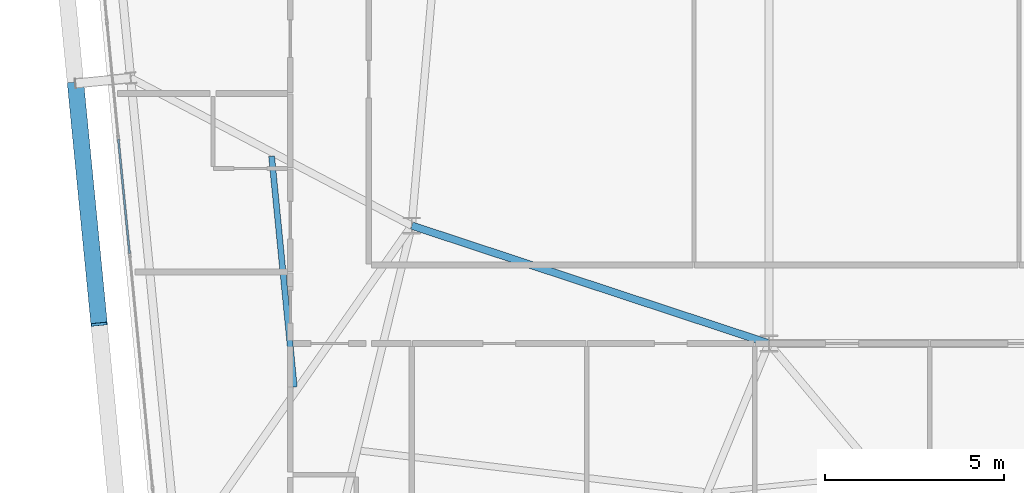
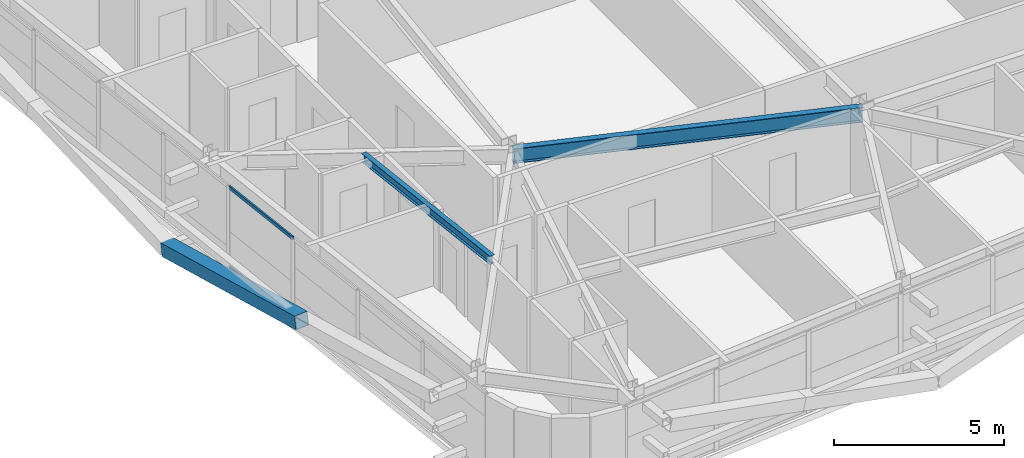
# One storey, part 9 of 53: 3 members, 2 beams, 1 element without a shape of its own.
"""IFC4 building model written with IfcOpenShell, lengths in metres."""

import ifcopenshell
import ifcopenshell.guid

model = None  # the IFC model being written
_history = None  # IfcOwnerHistory: only IFC2X3 demands one
_inside = {}  # id of a spatial element -> (the spatial element, [elements in it])
_under = {}  # id of a project, library or spatial element -> (it, [spatial elements below it])
_declared = {}  # id of a project -> (the project, [libraries it declares])
_typed = {}  # id of a type object -> (the type object, [elements of that type])
_made_of = {}  # id of a material, layer set ... -> (it, [elements and type objects made of it])


def new_model(schema):
    """Start an empty IFC model of exactly this schema.

    Asked for "IFC4X3", IfcOpenShell would pick the latest addendum, in which some entities
    have other attributes; the version numbers below select the first issue.
    IFC2X3 requires an IfcOwnerHistory on every rooted entity: one is made here for all.
    """
    global model, _history
    if schema == "IFC4X3":
        model = ifcopenshell.file(schema_version=(4, 3, 0, 0))
    else:
        model = ifcopenshell.file(schema=schema)
    _inside.clear()
    _under.clear()
    _declared.clear()
    _typed.clear()
    _made_of.clear()
    _history = None
    if model.schema == "IFC2X3":
        org = make("IfcOrganization", Name="unknown")
        user = make(
            "IfcPersonAndOrganization",
            ThePerson=make("IfcPerson", FamilyName="unknown"),
            TheOrganization=org,
        )
        app = make(
            "IfcApplication",
            ApplicationDeveloper=org,
            Version="unknown",
            ApplicationFullName="unknown",
            ApplicationIdentifier="unknown",
        )
        _history = make(
            "IfcOwnerHistory",
            OwningUser=user,
            OwningApplication=app,
            ChangeAction="ADDED",
            CreationDate=0,
        )
    return model


def make(cls, **values):
    """One entity of the class cls with the attributes given. An attribute that is None is left unset."""
    return model.create_entity(
        cls, **{name: value for name, value in values.items() if value is not None}
    )


def rooted(cls, **values):
    """An entity with a GlobalId (a new one), such as an element, a storey or a relation."""
    return make(cls, GlobalId=ifcopenshell.guid.new(), OwnerHistory=_history, **values)


def si_unit(unit_type, name, prefix=None):
    """IfcSIUnit, for example si_unit("LENGTHUNIT", "METRE", prefix="MILLI")."""
    return make("IfcSIUnit", UnitType=unit_type, Prefix=prefix, Name=name)


def assignment(units):
    """IfcUnitAssignment: the units of a project."""
    return None if units is None else make("IfcUnitAssignment", Units=units)


def point(xyz):
    """IfcCartesianPoint."""
    return None if xyz is None else make("IfcCartesianPoint", Coordinates=xyz)


def direction(xyz):
    """IfcDirection."""
    return None if xyz is None else make("IfcDirection", DirectionRatios=xyz)


def frame(location, z_axis=None, x_axis=None):
    """IfcAxis2Placement3D, a coordinate frame: its origin and axes. An axis left out is left unset."""
    return make(
        "IfcAxis2Placement3D",
        Location=point(location),
        Axis=direction(z_axis),
        RefDirection=direction(x_axis),
    )


def frame_2d(location, x_axis=None):
    """IfcAxis2Placement2D, a coordinate frame in the plane: its origin and x axis."""
    return make(
        "IfcAxis2Placement2D", Location=point(location), RefDirection=direction(x_axis)
    )


def origin():
    """The frame at (0, 0, 0) with its axes left unset."""
    return frame((0.0, 0.0, 0.0))


def origin_2d():
    """The frame at (0, 0) in the plane with its x axis left unset."""
    return frame_2d((0.0, 0.0))


def place(relative_to, where):
    """IfcLocalPlacement: puts the frame where relative to a parent placement (None: the world)."""
    return make(
        "IfcLocalPlacement", PlacementRelTo=relative_to, RelativePlacement=where
    )


def context(
    kind, dimensions, precision=None, world=None, true_north=None, identifier=None
):
    """IfcGeometricRepresentationContext, for example the 3D "Model" context."""
    return make(
        "IfcGeometricRepresentationContext",
        ContextIdentifier=identifier,
        ContextType=kind,
        CoordinateSpaceDimension=dimensions,
        Precision=precision,
        WorldCoordinateSystem=world,
        TrueNorth=true_north,
    )


def subcontext(parent, identifier, kind, view, scale=None):
    """IfcGeometricRepresentationSubContext, for example "Body" below "Model"."""
    return make(
        "IfcGeometricRepresentationSubContext",
        ContextIdentifier=identifier,
        ContextType=kind,
        ParentContext=parent,
        TargetScale=scale,
        TargetView=view,
    )


def project(units=None, contexts=None):
    """IfcProject with its units and contexts."""
    return rooted(
        "IfcProject",
        Name="project",
        RepresentationContexts=contexts,
        UnitsInContext=assignment(units),
    )


def spatial(cls, under=None, at=None, **own):
    """A site, building, storey or space (cls), placed at a placement, below another one or the project."""
    s = rooted(cls, ObjectPlacement=at, **own)
    if under is not None:
        _under.setdefault(under.id(), (under, []))[1].append(s)
    return s


def profile(cls, at=None, kind="AREA", **sizes):
    """A parametric profile (cls). Its sizes go by their IFC names, for example OverallWidth=200.0."""
    return make(cls, ProfileType=kind, Position=at, **sizes)


def hollow_rectangle(**sizes):
    """IfcRectangleHollowProfileDef."""
    return profile("IfcRectangleHollowProfileDef", **sizes)


def i_section(**sizes):
    """IfcIShapeProfileDef."""
    return profile("IfcIShapeProfileDef", **sizes)


def extrude(swept, where, along, depth):
    """IfcExtrudedAreaSolid: the profile swept, set in the frame where, extruded along a direction by depth."""
    return make(
        "IfcExtrudedAreaSolid",
        SweptArea=swept,
        Position=where,
        ExtrudedDirection=direction(along),
        Depth=depth,
    )


def shape(context_of_items, identifier, shape_type, items):
    """IfcShapeRepresentation: the items that make up one representation, for example the "Body"."""
    return make(
        "IfcShapeRepresentation",
        ContextOfItems=context_of_items,
        RepresentationIdentifier=identifier,
        RepresentationType=shape_type,
        Items=items,
    )


def source(mapping_origin, context_of_items, identifier, shape_type, items):
    """IfcRepresentationMap: a shape defined once, which mapped items show again and again."""
    return make(
        "IfcRepresentationMap",
        MappingOrigin=mapping_origin,
        MappedRepresentation=shape(context_of_items, identifier, shape_type, items),
    )


def transform(
    local_origin,
    x_axis=None,
    y_axis=None,
    z_axis=None,
    scale=None,
    scale2=None,
    scale3=None,
    uniform=True,
):
    """IfcCartesianTransformationOperator3D, or its non-uniform kind. x_axis, y_axis, z_axis: its Axis1, 2, 3."""
    if uniform:
        return make(
            "IfcCartesianTransformationOperator3D",
            Axis1=direction(x_axis),
            Axis2=direction(y_axis),
            LocalOrigin=point(local_origin),
            Scale=scale,
            Axis3=direction(z_axis),
        )
    return make(
        "IfcCartesianTransformationOperator3DnonUniform",
        Axis1=direction(x_axis),
        Axis2=direction(y_axis),
        LocalOrigin=point(local_origin),
        Scale=scale,
        Axis3=direction(z_axis),
        Scale2=scale2,
        Scale3=scale3,
    )


def mapped(mapping_source, mapping_target):
    """IfcMappedItem: shows the shape of a source again, moved by a transform."""
    return make(
        "IfcMappedItem", MappingSource=mapping_source, MappingTarget=mapping_target
    )


def material(Name=None, Category=None):
    """IfcMaterial."""
    return make("IfcMaterial", Name=Name, Category=Category)


def layer(
    of_material, thickness, ventilated=None, Name=None, Category=None, Priority=None
):
    """IfcMaterialLayer: one layer of a wall or slab, of a material (None: an air gap)."""
    return make(
        "IfcMaterialLayer",
        Material=of_material,
        LayerThickness=thickness,
        IsVentilated=ventilated,
        Name=Name,
        Category=Category,
        Priority=Priority,
    )


def layer_set(layers, Name=None):
    """IfcMaterialLayerSet."""
    return make("IfcMaterialLayerSet", MaterialLayers=layers, LayerSetName=Name)


def material_profile(
    of_material, cross_section, Name=None, Category=None, Priority=None
):
    """IfcMaterialProfile: a cross section and its material."""
    return make(
        "IfcMaterialProfile",
        Name=Name,
        Material=of_material,
        Profile=cross_section,
        Priority=Priority,
        Category=Category,
    )


def profile_set(profiles, Name=None, composite=None):
    """IfcMaterialProfileSet."""
    return make(
        "IfcMaterialProfileSet",
        Name=Name,
        MaterialProfiles=profiles,
        CompositeProfile=composite,
    )


def made_of(thing, what):
    """Note that an element or type object is made of a material, layer set ...; save() writes the relation."""
    if what is not None:
        _made_of.setdefault(what.id(), (what, []))[1].append(thing)
    return thing


def type_object(cls, material=None, **own):
    """A type object (cls), such as IfcWallType, which elements share."""
    return made_of(rooted(cls, **own), material)


def element(
    cls,
    number,
    at=None,
    inside=None,
    cuts=None,
    type_object=None,
    material=None,
    context=None,
    identifier="Body",
    shape_type=None,
    held_by="IfcProductDefinitionShape",
    body=None,
    shapes=None,
    **own,
):
    """One element of the class cls, such as IfcWall. Its Tag is "e" and its number.

    at: its placement. inside: the storey or other place that contains it. cuts: it is an
    opening in that element (IfcRelVoidsElement). A single representation is given by context,
    identifier, shape_type and body (its items); several are given by shapes. held_by: the class
    of the entity that holds the representations. save() writes the other relations.
    """
    e = rooted(cls, Tag="e%d" % number, ObjectPlacement=at, **own)
    if body is not None:
        shapes = [shape(context, identifier, shape_type, body)]
    if shapes is not None:
        e.Representation = make(held_by, Representations=shapes)
    if inside is not None:
        _inside.setdefault(inside.id(), (inside, []))[1].append(e)
    if cuts is not None:
        rooted(
            "IfcRelVoidsElement", RelatingBuildingElement=cuts, RelatedOpeningElement=e
        )
    if type_object is not None:
        _typed.setdefault(type_object.id(), (type_object, []))[1].append(e)
    return made_of(e, material)


def aggregate(whole, parts):
    """IfcRelAggregates: a whole, such as a stair, and the parts it consists of."""
    return rooted("IfcRelAggregates", RelatingObject=whole, RelatedObjects=parts)


def save(model, path):
    """Write the relations noted so far, then the file.

    IfcRelAggregates (storeys below a building ...), IfcRelContainedInSpatialStructure (elements
    in a storey), IfcRelDefinesByType, IfcRelAssociatesMaterial and IfcRelDeclares: one each for
    every whole, place, type object, material and project.
    """
    for whole, parts in _under.values():
        aggregate(whole, parts)
    for where, things in _inside.values():
        rooted(
            "IfcRelContainedInSpatialStructure",
            RelatedElements=things,
            RelatingStructure=where,
        )
    for kind, things in _typed.values():
        rooted("IfcRelDefinesByType", RelatedObjects=things, RelatingType=kind)
    for what, things in _made_of.values():
        rooted("IfcRelAssociatesMaterial", RelatedObjects=things, RelatingMaterial=what)
    for by, libraries in _declared.values():
        rooted("IfcRelDeclares", RelatingContext=by, RelatedDefinitions=libraries)
    model.write(path)


model = new_model("IFC4")

# Units and contexts
model_context = context("Model", 3, precision=1e-05, world=origin(), true_north=direction((0.0, 1.0)))
body_context = subcontext(model_context, "Body", "Model", "MODEL_VIEW")
ifc_project = project(units=[si_unit("LENGTHUNIT", "METRE"), si_unit("AREAUNIT", "SQUARE_METRE"), si_unit("VOLUMEUNIT", "CUBIC_METRE"), si_unit("PLANEANGLEUNIT", "RADIAN"), si_unit("MASSUNIT", "GRAM", prefix="KILO")], contexts=[model_context])

# Site, building, storey
site_placement = place(None, origin())
site = spatial("IfcSite", under=ifc_project, at=site_placement, CompositionType="ELEMENT")
building_placement = place(site_placement, origin())
building = spatial("IfcBuilding", under=site, at=building_placement, Name="Taldren Reach Tower", CompositionType="ELEMENT")
storey_placement = place(building_placement, frame((0.0, 0.0, 71.39990234375)))
storey = spatial("IfcBuildingStorey", under=building, at=storey_placement, Name="L21", CompositionType="ELEMENT", Elevation=71.39990234375)

# Beams
ifc_material_1 = material(Name="Steel Gr 350 (350PLUS)", Category="steel")
ifc_material_profile_1 = material_profile(ifc_material_1, i_section(OverallWidth=0.208984375, OverallDepth=0.532958984375, WebThickness=0.01025390625, FlangeThickness=0.015625, at=origin_2d()), Name="530UB92.4")
ifc_profile_set_1 = profile_set([ifc_material_profile_1], Name="Steel Gr 350 (350PLUS)")
beam_type_1 = type_object("IfcBeamType", Name="BM-UB530A", PredefinedType="BEAM", material=ifc_profile_set_1)
shared_shape_1 = source(origin(), body_context, "Body", "SweptSolid", [
    extrude(i_section(OverallWidth=0.208984375, OverallDepth=0.532958984375, WebThickness=0.01025390625, FlangeThickness=0.015625, at=origin_2d()), origin(), (0.0, 0.0, 1.0), 10.530517578125),
])
beam_1_placement = place(storey_placement, frame((18.0, 12.5, 2.66357421875), z_axis=(0.949627269203, -0.313381635689, 0.0), x_axis=(0.313381635689, 0.949627269203, 0.0)))
element("IfcBeam", 1, at=beam_1_placement, inside=storey, type_object=beam_type_1, Name="Core-spine girder L21-SP10", PredefinedType="BEAM", context=body_context, shape_type="MappedRepresentation", body=[
    mapped(shared_shape_1, transform((0.0, 0.0, 0.0), scale=1.0)),
])
ifc_material_2 = material(Name="Steel Gr 300 (300PLUS, 300 MPa)", Category="steel")
ifc_material_profile_2 = material_profile(ifc_material_2, i_section(OverallWidth=0.166015625, OverallDepth=0.306884765625, WebThickness=0.006591796875, FlangeThickness=0.01171875, at=origin_2d()), Name="310UB46.2")
ifc_profile_set_2 = profile_set([ifc_material_profile_2], Name="Steel Gr 300 (300PLUS, 300 MPa)")
beam_type_2 = type_object("IfcBeamType", Name="JS-UB310", PredefinedType="JOIST", material=ifc_profile_set_2)
shared_shape_2 = source(origin(), body_context, "Body", "SweptSolid", [
    extrude(i_section(OverallWidth=0.166015625, OverallDepth=0.306884765625, WebThickness=0.006591796875, FlangeThickness=0.01171875, at=origin_2d()), origin(), (0.0, 0.0, 1.0), 6.489501953125),
])
beam_2_placement = place(storey_placement, frame((14.710693359375, 7.982666015625, 2.776611328125), z_axis=(-0.097588959486, 0.995226805802, 0.0), x_axis=(-0.995226805802, -0.097588959486, 0.0)))
element("IfcBeam", 2, at=beam_2_placement, inside=storey, type_object=beam_type_2, Name="Secondary floor joist B2 J6 L21", PredefinedType="JOIST", context=body_context, shape_type="MappedRepresentation", body=[
    mapped(shared_shape_2, transform((0.0, 0.0, 0.0), scale=1.0)),
])

# Member
ifc_material_3 = material(Name="Steel Gr 450 (C450L0)", Category="steel")
ifc_material_profile_3 = material_profile(ifc_material_3, hollow_rectangle(XDim=0.4599609375, YDim=0.4599609375, WallThickness=0.01611328125, at=origin_2d()), Name="460x460x16.0SHS")
ifc_profile_set_3 = profile_set([ifc_material_profile_3], Name="Steel Gr 450 (C450L0)")
member_type_1 = type_object("IfcMemberType", Name="MB-EXO457", PredefinedType="BRACE", material=ifc_profile_set_3)
shared_shape_3 = source(origin(), body_context, "Body", "SweptSolid", [
    extrude(hollow_rectangle(XDim=0.4599609375, YDim=0.4599609375, WallThickness=0.01611328125, at=origin_2d()), origin(), (0.0, 0.0, 1.0), 6.8828125),
])
member_1_placement = place(storey_placement, frame((8.587890625, 16.479736328125, 0.22021484375), z_axis=(0.096055397146, -0.979601884409, 0.176503565804), x_axis=(0.995226946838, 0.097587521166, 0.0)))
element("IfcMember", 3, at=member_1_placement, inside=storey, type_object=member_type_1, Name="Exoskeleton Diagrid Brace B2-W1 L21", PredefinedType="BRACE", context=body_context, shape_type="MappedRepresentation", body=[
    mapped(shared_shape_3, transform((0.0, 0.0, 0.0), scale=1.0)),
])

# Curtain wall, members
ifc_material_4 = material(Name="Aluminium and Low-E Glass Unitised System", Category="aluminium")
ifc_layer = layer(ifc_material_4, 0.159912109375)
ifc_layer_set = layer_set([ifc_layer], Name="Aluminium and Low-E Glass Unitised System")
curtain_wall_type = type_object("IfcCurtainWallType", Name="CW-SYS-3", PredefinedType="NOTDEFINED", material=ifc_layer_set)
curtain_wall_placement = place(storey_placement, origin())
curtain_wall = element("IfcCurtainWall", 4, at=curtain_wall_placement, inside=storey, type_object=curtain_wall_type, Name="Unitised curtain wall CW-L21-W", PredefinedType="NOTDEFINED")
ifc_material_5 = material(Name="Anodised Aluminium 6063-T6", Category="aluminium")
ifc_material_profile_4 = material_profile(ifc_material_5, hollow_rectangle(XDim=0.054931640625, YDim=0.1201171875, WallThickness=0.0029296875, at=origin_2d()), Name="ALU-120x55x3RHS")
ifc_profile_set_4 = profile_set([ifc_material_profile_4], Name="Anodised Aluminium 6063-T6")
member_type_2 = type_object("IfcMemberType", Name="CW-TRN-135", PredefinedType="USERDEFINED", material=ifc_profile_set_4)
shared_shape_4 = source(origin(), body_context, "Body", "SweptSolid", [
    extrude(hollow_rectangle(XDim=0.054931640625, YDim=0.1201171875, WallThickness=0.0029296875, at=origin_2d()), origin(), (0.0, 0.0, 1.0), 3.212890625),
])
member_2_placement = place(storey_placement, frame((9.7861328125, 14.91796875, 0.027587890625), z_axis=(0.097569948235, -0.995228669805, 0.0), x_axis=(0.995228669805, 0.097569948235, 0.0)))
member_2 = element("IfcMember", 5, at=member_2_placement, type_object=member_type_2, Name="CW-3 transom 6.1", ObjectType="TRANSOM", PredefinedType="USERDEFINED", context=body_context, shape_type="MappedRepresentation", body=[
    mapped(shared_shape_4, transform((0.0, 0.0, 0.0), scale=1.0)),
])
member_3_placement = place(storey_placement, frame((9.7861328125, 14.91796875, 2.902587890625), z_axis=(0.097569948235, -0.995228669805, 0.0), x_axis=(0.995228669805, 0.097569948235, 0.0)))
member_3 = element("IfcMember", 6, at=member_3_placement, type_object=member_type_2, Name="CW-3 transom 6.2", ObjectType="TRANSOM", PredefinedType="USERDEFINED", context=body_context, shape_type="MappedRepresentation", body=[
    mapped(shared_shape_4, transform((0.0, 0.0, 0.0), scale=1.0)),
])
aggregate(curtain_wall, [member_2, member_3])

save(model, "model.ifc")
